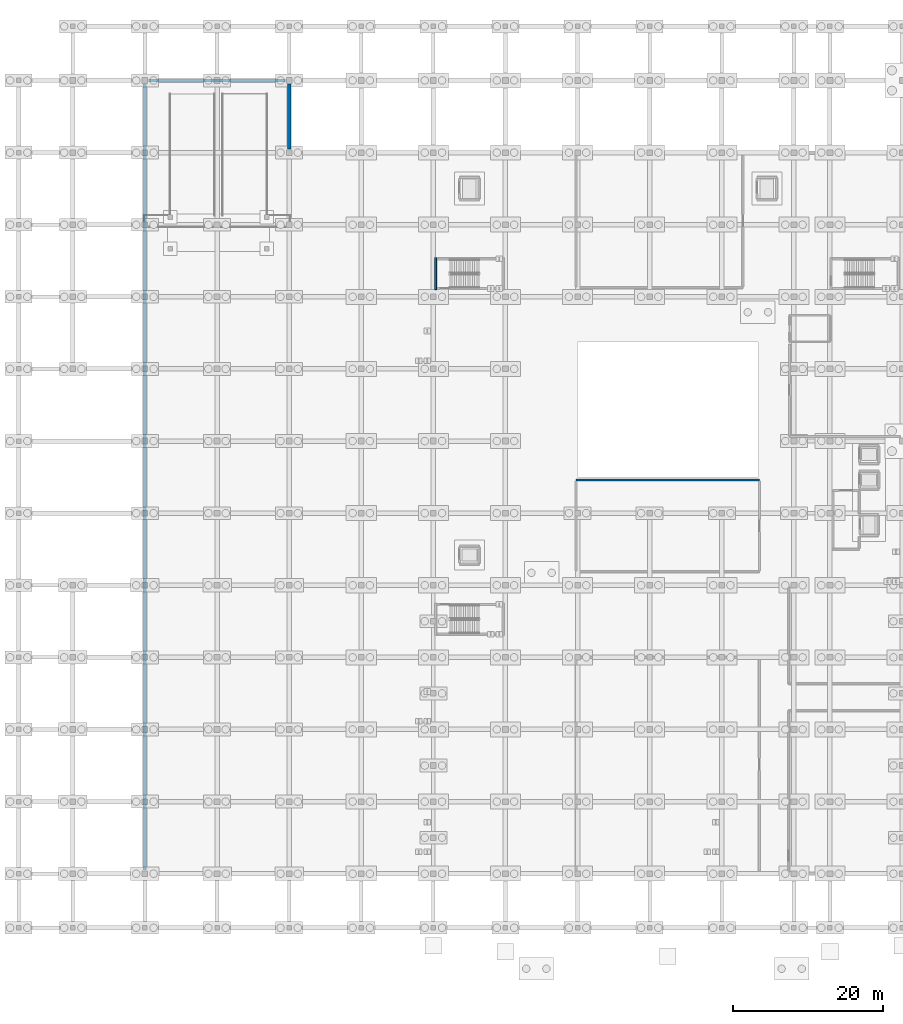
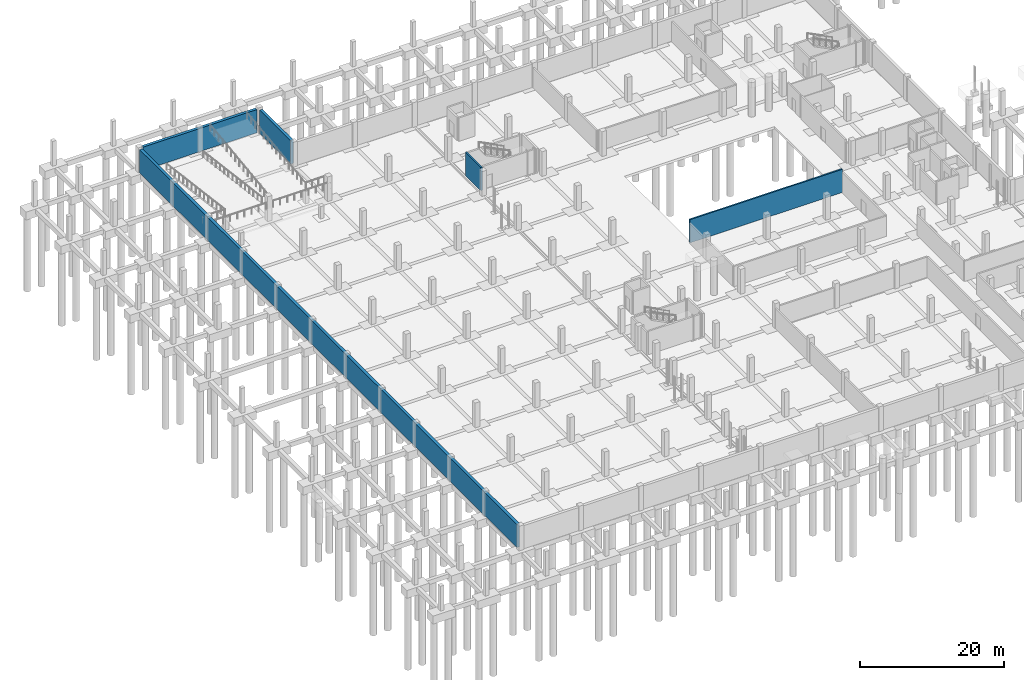
# One storey, part 39 of 54: 5 walls.
"""IFC4 building model written with IfcOpenShell, lengths in metres."""

from ifc_helpers import new_model, si_unit, direction, frame, frame_2d, origin, place, context, subcontext, project, spatial, rectangle, extrude, material, layer, layer_set, type_object, element, save


model = new_model("IFC4")

# Units and contexts
model_context = context("Model", 3, precision=1e-05, world=origin(), true_north=direction((0.0, 1.0)))
body_context = subcontext(model_context, "Body", "Model", "MODEL_VIEW")
ifc_project = project(units=[si_unit("LENGTHUNIT", "METRE"), si_unit("AREAUNIT", "SQUARE_METRE"), si_unit("VOLUMEUNIT", "CUBIC_METRE"), si_unit("PLANEANGLEUNIT", "RADIAN"), si_unit("MASSUNIT", "GRAM", prefix="KILO")], contexts=[model_context])

# Site, building, storey
site_placement = place(None, origin())
site = spatial("IfcSite", under=ifc_project, at=site_placement, CompositionType="ELEMENT")
building_placement = place(site_placement, origin())
building = spatial("IfcBuilding", under=site, at=building_placement, Name="Zevrakil Square Congress Hotel", CompositionType="ELEMENT")
storey_placement = place(building_placement, frame((0.0, 0.0, -8.39990234375)))
storey = spatial("IfcBuildingStorey", under=building, at=storey_placement, Name="B2", CompositionType="ELEMENT", Elevation=-8.39990234375)

# Walls
ifc_material_1 = material(Name="Concrete C35/45", Category="concrete")
ifc_layer_1 = layer(ifc_material_1, 0.239990234375)
ifc_layer_set_1 = layer_set([ifc_layer_1], Name="Concrete C35/45")
wall_type_1 = type_object("IfcWallType", Name="WAL-COMP-240", PredefinedType="SOLIDWALL", material=ifc_layer_set_1)
wall_1_placement = place(storey_placement, frame((74.199951171875, 59.60009765625, 0.0), z_axis=(0.0, 0.0, 1.0), x_axis=(1.0, 0.0, 0.0)))
element("IfcWall", 1, at=wall_1_placement, inside=storey, type_object=wall_type_1, Name="B2 interior partition PW-B2-0089", PredefinedType="SOLIDWALL", context=body_context, shape_type="SweptSolid", body=[
    extrude(rectangle(XDim=24.400146484375, YDim=0.239990234375, at=frame_2d((12.2001953125, 0.0))), origin(), (0.0, 0.0, 1.0), 3.929931640625),
])
ifc_material_2 = material(Name="Concrete C40/50", Category="concrete")
ifc_layer_2 = layer(ifc_material_2, 0.449951171875)
ifc_layer_set_2 = layer_set([ifc_layer_2], Name="Concrete C40/50")
wall_type_2 = type_object("IfcWallType", Name="WAL-RET-450", PredefinedType="SOLIDWALL", material=ifc_layer_set_2)
wall_2_placement = place(storey_placement, frame((36.0, 103.699951171875, 0.0), z_axis=(0.0, 0.0, 1.0), x_axis=(0.0, 1.0, 0.0)))
element("IfcWall", 2, at=wall_2_placement, inside=storey, type_object=wall_type_2, Name="B2 perimeter concrete retaining wall 6", PredefinedType="SOLIDWALL", context=body_context, shape_type="SweptSolid", body=[
    extrude(rectangle(XDim=8.60009765625, YDim=0.449951171875, at=frame_2d((4.300048828125, 0.0))), origin(), (0.0, 0.0, 1.0), 3.929931640625),
])
wall_3_placement = place(storey_placement, frame((35.5, 112.800048828125, 0.0), z_axis=(0.0, 0.0, 1.0), x_axis=(-1.0, 0.0, 0.0)))
element("IfcWall", 3, at=wall_3_placement, inside=storey, type_object=wall_type_2, Name="B2 perimeter concrete retaining wall 7", PredefinedType="SOLIDWALL", context=body_context, shape_type="SweptSolid", body=[
    extrude(rectangle(XDim=18.199951171875, YDim=0.449951171875, at=frame_2d((9.10009765625, 0.0))), origin(), (0.0, 0.0, 1.0), 3.929931640625),
])
wall_4_placement = place(storey_placement, frame((16.800048828125, 112.300048828125, 0.0), z_axis=(0.0, 0.0, 1.0), x_axis=(0.0, -1.0, 0.0)))
element("IfcWall", 4, at=wall_4_placement, inside=storey, type_object=wall_type_2, Name="B2 perimeter concrete retaining wall 8", PredefinedType="SOLIDWALL", context=body_context, shape_type="SweptSolid", body=[
    extrude(rectangle(XDim=104.60009765625, YDim=0.449951171875, at=frame_2d((52.300048828125, 0.0))), origin(), (0.0, 0.0, 1.0), 3.929931640625),
])
ifc_material_3 = material(Name="Concrete C40/50", Category="concrete")
ifc_layer_3 = layer(ifc_material_3, 0.260009765625)
ifc_layer_set_3 = layer_set([ifc_layer_3], Name="Concrete C40/50")
wall_type_3 = type_object("IfcWallType", Name="WAL-SHAFT-260", PredefinedType="SHEAR", material=ifc_layer_set_3)
wall_5_placement = place(storey_placement, frame((55.5048828125, 84.93994140625, 0.0), z_axis=(0.0, 0.0, 1.0), x_axis=(0.0, 1.0, 0.0)))
element("IfcWall", 5, at=wall_5_placement, inside=storey, type_object=wall_type_3, Name="B2 ST05 stair shaft W wall", PredefinedType="SHEAR", context=body_context, shape_type="SweptSolid", body=[
    extrude(rectangle(XDim=4.27001953125, YDim=0.260009765625, at=frame_2d((2.135009765625, 0.0))), origin(), (0.0, 0.0, 1.0), 3.929931640625),
])

save(model, "model.ifc")
